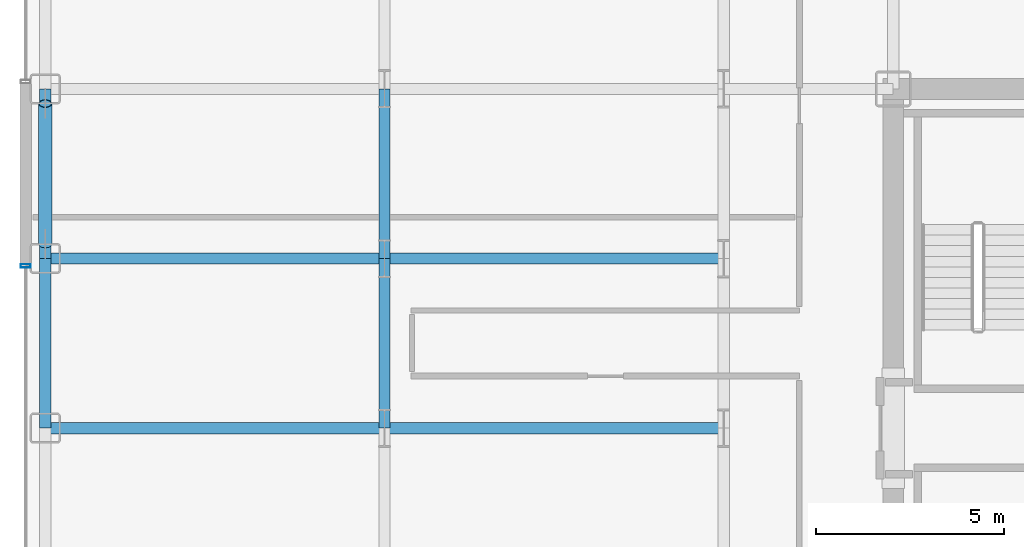
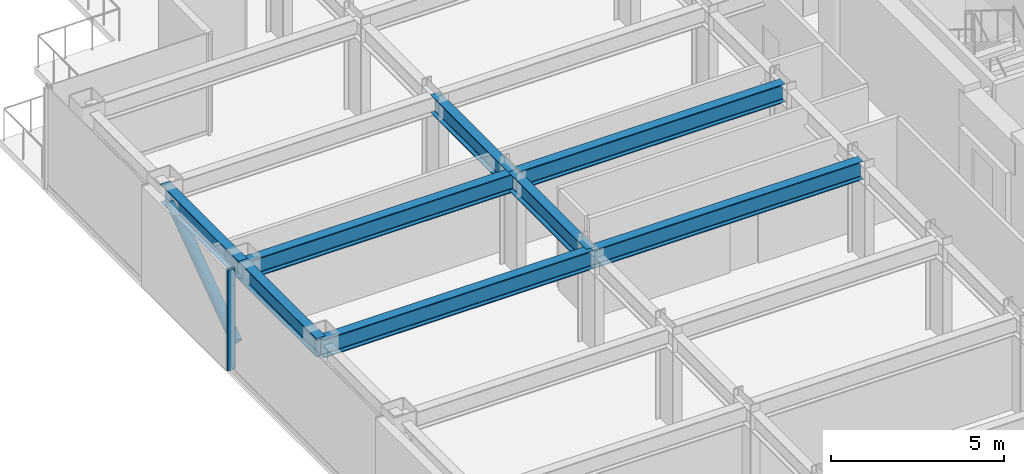
# One storey, part 6 of 29: 8 beams, 2 members, 1 element without a shape of its own.
"""IFC4 building model written with IfcOpenShell, lengths in metres."""

from ifc_helpers import new_model, si_unit, direction, frame, origin, origin_2d, place, context, subcontext, project, spatial, hollow_rectangle, hollow_circle, i_section, extrude, source, transform, mapped, material, layer, layer_set, material_profile, profile_set, type_object, element, aggregate, save


model = new_model("IFC4")

# Units and contexts
model_context = context("Model", 3, precision=1e-05, world=origin(), true_north=direction((0.0, 1.0)))
body_context = subcontext(model_context, "Body", "Model", "MODEL_VIEW")
ifc_project = project(units=[si_unit("LENGTHUNIT", "METRE"), si_unit("AREAUNIT", "SQUARE_METRE"), si_unit("VOLUMEUNIT", "CUBIC_METRE"), si_unit("PLANEANGLEUNIT", "RADIAN"), si_unit("MASSUNIT", "GRAM", prefix="KILO")], contexts=[model_context])

# Site, building, storey
site_placement = place(None, origin())
site = spatial("IfcSite", under=ifc_project, at=site_placement, CompositionType="ELEMENT")
building_placement = place(site_placement, origin())
building = spatial("IfcBuilding", under=site, at=building_placement, Name="Nefas-Gora Pilgrimage Tower", CompositionType="ELEMENT")
storey_placement = place(building_placement, frame((0.0, 0.0, 125.0)))
storey = spatial("IfcBuildingStorey", under=building, at=storey_placement, Name="L30", CompositionType="ELEMENT", Elevation=125.0)

# Beams
ifc_material_1 = material(Name="Steel S355", Category="steel")
ifc_material_profile_1 = material_profile(ifc_material_1, i_section(OverallWidth=0.300048828125, OverallDepth=0.64990234375, WebThickness=0.01611328125, FlangeThickness=0.031005859375, FilletRadius=0.027099609375, at=origin_2d()), Name="HEB 650")
ifc_profile_set_1 = profile_set([ifc_material_profile_1], Name="Steel S355")
beam_type_1 = type_object("IfcBeamType", Name="BM-SPN-HEB500", PredefinedType="SPANDREL", material=ifc_profile_set_1)
shared_shape_1 = source(origin(), body_context, "Body", "SweptSolid", [
    extrude(i_section(OverallWidth=0.300048828125, OverallDepth=0.64990234375, WebThickness=0.01611328125, FlangeThickness=0.031005859375, FilletRadius=0.027099609375, at=origin_2d()), origin(), (0.0, 0.0, 1.0), 4.5),
])
for number, where, z_axis, x_axis, name in (
    (1, (-33.75, 0.0, 3.22509765625), (0.0, 1.0, 0.0), (-1.0, 0.0, 0.0), "L30 SP-02 beam"),
    (2, (-33.75, 4.5, 3.22509765625), (0.0, 1.0, 0.0), (-1.0, 0.0, 0.0), "L30 SP-02 beam"),
):
    element("IfcBeam", number, at=place(storey_placement, frame(where, z_axis=z_axis, x_axis=x_axis)), inside=storey, type_object=beam_type_1, Name=name, PredefinedType="SPANDREL", context=body_context, shape_type="MappedRepresentation", body=[
        mapped(shared_shape_1, transform((0.0, 0.0, 0.0), x_axis=(1.0, 0.0, 0.0), y_axis=(0.0, 1.0, 0.0), z_axis=(0.0, 0.0, 1.0), scale=1.0)),
    ])
ifc_material_profile_2 = material_profile(ifc_material_1, i_section(OverallWidth=0.300048828125, OverallDepth=0.64990234375, WebThickness=0.01611328125, FlangeThickness=0.031005859375, FilletRadius=0.027099609375, at=origin_2d()), Name="HEB 650")
ifc_profile_set_2 = profile_set([ifc_material_profile_2], Name="Steel S355")
beam_type_2 = type_object("IfcBeamType", Name="BM-GIR-HEB650", PredefinedType="BEAM", material=ifc_profile_set_2)
shared_shape_2 = source(origin(), body_context, "Body", "SweptSolid", [
    extrude(i_section(OverallWidth=0.300048828125, OverallDepth=0.64990234375, WebThickness=0.01611328125, FlangeThickness=0.031005859375, FilletRadius=0.027099609375, at=origin_2d()), origin(), (0.0, 0.0, 1.0), 9.0),
])
for number, where, z_axis, x_axis, name in (
    (3, (-33.75, 0.0, 3.22509765625), (1.0, 0.0, 0.0), (0.0, 1.0, 0.0), "L30 G-03 beam"),
    (4, (-33.75, 4.5, 3.22509765625), (1.0, 0.0, 0.0), (0.0, 1.0, 0.0), "L30 G-03 beam"),
    (5, (-24.75, 0.0, 3.22509765625), (1.0, 0.0, 0.0), (0.0, 1.0, 0.0), "L30 G-03 beam"),
    (6, (-24.75, 4.5, 3.22509765625), (1.0, 0.0, 0.0), (0.0, 1.0, 0.0), "L30 G-03 beam"),
):
    element("IfcBeam", number, at=place(storey_placement, frame(where, z_axis=z_axis, x_axis=x_axis)), inside=storey, type_object=beam_type_2, Name=name, PredefinedType="BEAM", context=body_context, shape_type="MappedRepresentation", body=[
        mapped(shared_shape_2, transform((0.0, 0.0, 0.0), x_axis=(1.0, 0.0, 0.0), y_axis=(0.0, 1.0, 0.0), z_axis=(0.0, 0.0, 1.0), scale=1.0)),
    ])
shared_shape_3 = source(origin(), body_context, "Body", "SweptSolid", [
    extrude(i_section(OverallWidth=0.300048828125, OverallDepth=0.64990234375, WebThickness=0.01611328125, FlangeThickness=0.031005859375, FilletRadius=0.027099609375, at=origin_2d()), origin(), (0.0, 0.0, 1.0), 4.5),
])
for number, where, z_axis, x_axis, name in (
    (7, (-24.75, 0.0, 3.22509765625), (0.0, 1.0, 0.0), (-1.0, 0.0, 0.0), "L30 G-03 beam"),
    (8, (-24.75, 4.5, 3.22509765625), (0.0, 1.0, 0.0), (-1.0, 0.0, 0.0), "L30 G-03 beam"),
):
    element("IfcBeam", number, at=place(storey_placement, frame(where, z_axis=z_axis, x_axis=x_axis)), inside=storey, type_object=beam_type_2, Name=name, PredefinedType="BEAM", context=body_context, shape_type="MappedRepresentation", body=[
        mapped(shared_shape_3, transform((0.0, 0.0, 0.0), x_axis=(1.0, 0.0, 0.0), y_axis=(0.0, 1.0, 0.0), z_axis=(0.0, 0.0, 1.0), scale=1.0)),
    ])

# Member
ifc_material_2 = material(Name="Steel S460", Category="steel")
ifc_material_profile_3 = material_profile(ifc_material_2, hollow_circle(Radius=0.177734375, WallThickness=0.02001953125, at=origin_2d()), Name="CHS 355.6x20")
ifc_profile_set_3 = profile_set([ifc_material_profile_3], Name="Steel S460")
member_type_1 = type_object("IfcMemberType", Name="MEM-TUBE-356", PredefinedType="BRACE", material=ifc_profile_set_3)
shared_shape_4 = source(origin(), body_context, "Body", "SweptSolid", [
    extrude(hollow_circle(Radius=0.177734375, WallThickness=0.02001953125, at=origin_2d()), origin(), (0.0, 0.0, 1.0), 4.579345703125),
])
member_1_placement = place(storey_placement, frame((-33.75, 4.887939453125, 0.427490234375), z_axis=(0.0, 0.813246879171, 0.581918820385), x_axis=(-1.0, 0.0, 0.0)))
element("IfcMember", 9, at=member_1_placement, inside=storey, type_object=member_type_1, Name="L30 Perimeter Tube Diagonal Brace W2", PredefinedType="BRACE", context=body_context, shape_type="MappedRepresentation", body=[
    mapped(shared_shape_4, transform((0.0, 0.0, 0.0), x_axis=(1.0, 0.0, 0.0), y_axis=(0.0, 1.0, 0.0), z_axis=(0.0, 0.0, 1.0), scale=1.0)),
])

# Curtain wall, member
ifc_material_3 = material(Name="Dark ceramic-fritted solar-control aluminium-glass curtain wall", Category="aluminium")
ifc_layer = layer(ifc_material_3, 0.219970703125)
ifc_layer_set = layer_set([ifc_layer], Name="Dark ceramic-fritted solar-control aluminium-glass curtain wall")
curtain_wall_type = type_object("IfcCurtainWallType", Name="CW-SYS-2", PredefinedType="NOTDEFINED", material=ifc_layer_set)
curtain_wall_placement = place(storey_placement, origin())
curtain_wall = element("IfcCurtainWall", 10, at=curtain_wall_placement, inside=storey, type_object=curtain_wall_type, Name="L30 Unitised Curtain Wall CW2", PredefinedType="NOTDEFINED")
ifc_material_4 = material(Name="Anodised architectural aluminium", Category="aluminium")
ifc_material_profile_4 = material_profile(ifc_material_4, hollow_rectangle(XDim=0.090087890625, YDim=0.260009765625, WallThickness=0.006103515625, InnerFilletRadius=0.006103515625, OuterFilletRadius=0.011962890625, at=origin_2d()), Name="ALU MULLION 90x260")
ifc_profile_set_4 = profile_set([ifc_material_profile_4], Name="Anodised architectural aluminium")
member_type_2 = type_object("IfcMemberType", Name="CWM-MUL-2", PredefinedType="MULLION", material=ifc_profile_set_4)
shared_shape_5 = source(origin(), body_context, "Body", "SweptSolid", [
    extrude(hollow_rectangle(XDim=0.090087890625, YDim=0.260009765625, WallThickness=0.006103515625, InnerFilletRadius=0.006103515625, OuterFilletRadius=0.011962890625, at=origin_2d()), origin(), (0.0, 0.0, 1.0), 3.550048828125),
])
member_2_placement = place(storey_placement, frame((-34.27001953125, 4.304931640625, 0.0), z_axis=(0.0, 0.0, 1.0), x_axis=(0.0, -1.0, 0.0)))
member_2 = element("IfcMember", 11, at=member_2_placement, type_object=member_type_2, Name="CW2 Mullion 1", PredefinedType="MULLION", context=body_context, shape_type="MappedRepresentation", body=[
    mapped(shared_shape_5, transform((0.0, 0.0, 0.0), x_axis=(1.0, 0.0, 0.0), y_axis=(0.0, 1.0, 0.0), z_axis=(0.0, 0.0, 1.0), scale=1.0)),
])
aggregate(curtain_wall, [member_2])

save(model, "model.ifc")
